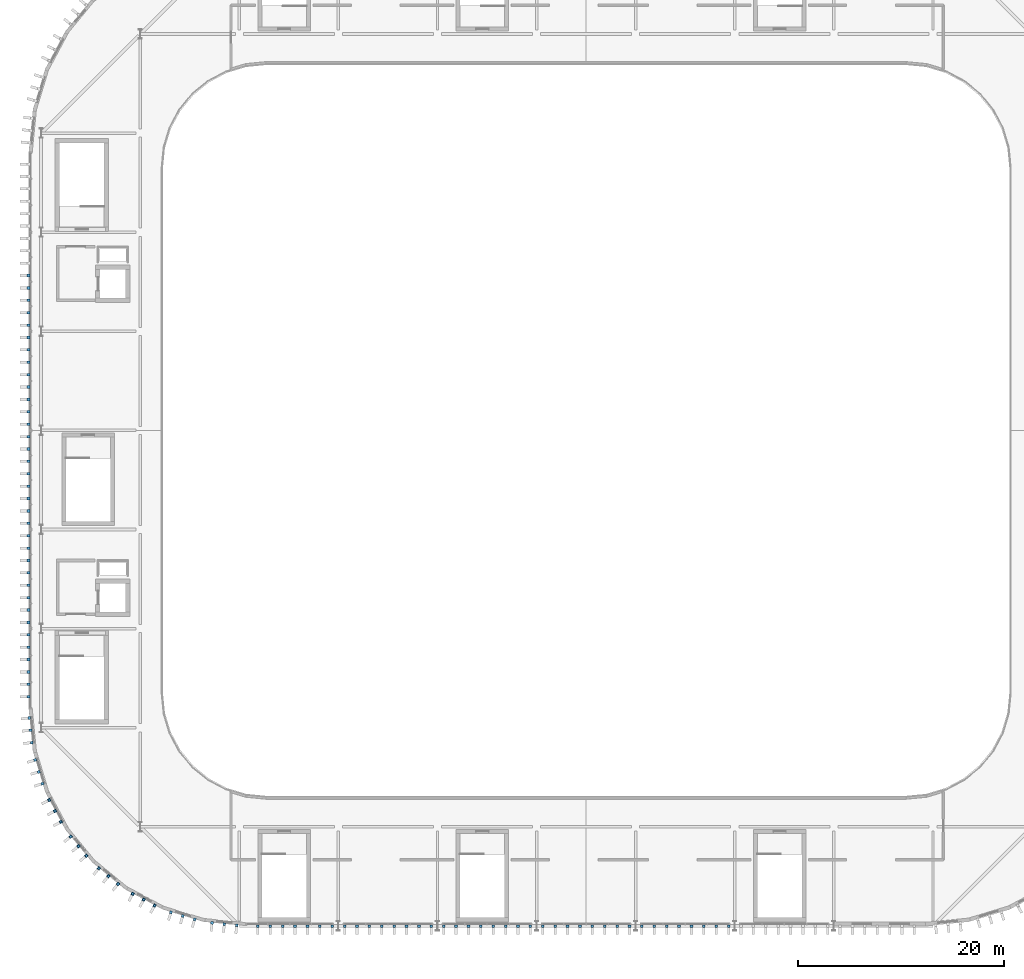
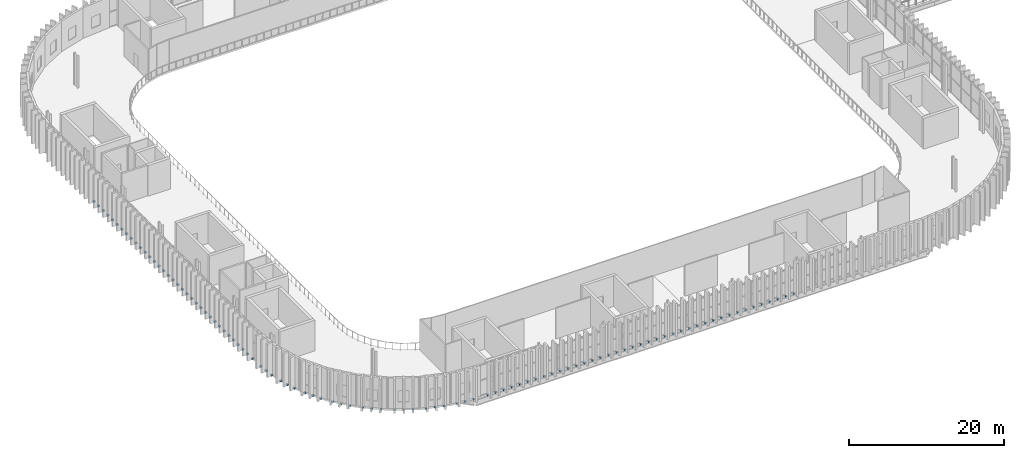
# One storey, part 38 of 45: 98 discrete accessories.
"""IFC4 building model written with IfcOpenShell, lengths in metres."""

from ifc_helpers import new_model, si_unit, direction, frame, origin, origin_2d, place, context, subcontext, project, spatial, rectangle, extrude, material, type_object, element, save


model = new_model("IFC4")

# Units and contexts
model_context = context("Model", 3, precision=1e-05, world=origin(), true_north=direction((0.0, 1.0)))
body_context = subcontext(model_context, "Body", "Model", "MODEL_VIEW")
ifc_project = project(units=[si_unit("LENGTHUNIT", "METRE"), si_unit("AREAUNIT", "SQUARE_METRE"), si_unit("VOLUMEUNIT", "CUBIC_METRE"), si_unit("PLANEANGLEUNIT", "RADIAN"), si_unit("MASSUNIT", "GRAM", prefix="KILO")], contexts=[model_context])

# Site, building, storey
site_placement = place(None, origin())
site = spatial("IfcSite", under=ifc_project, at=site_placement, CompositionType="ELEMENT")
building_placement = place(site_placement, origin())
building = spatial("IfcBuilding", under=site, at=building_placement, Name="Caelomonte Colonnade Arena", CompositionType="ELEMENT")
storey_placement = place(building_placement, frame((0.0, 0.0, 23.10009765625)))
storey = spatial("IfcBuildingStorey", under=building, at=storey_placement, Name="L05", CompositionType="ELEMENT", Elevation=23.10009765625)

# Discrete accessories
ifc_material = material(Name="Steel ASTM A572 Grade 50", Category="steel")
discrete_accessory_type = type_object("IfcDiscreteAccessoryType", Name="ENV-ACC-BRK", PredefinedType="BRACKET", material=ifc_material)
for number, where, z_axis, x_axis, name in (
    (1, (56.3701171875, 82.199951171875, -0.2099609375), (0.0, 0.0, 1.0), (0.0, -1.0, 0.0), "V1 L05 fin support bracket 180"),
    (2, (56.3701171875, 81.0, -0.2099609375), (0.0, 0.0, 1.0), (0.0, -1.0, 0.0), "V1 L05 fin support bracket 181"),
    (3, (56.3701171875, 79.800048828125, -0.2099609375), (0.0, 0.0, 1.0), (0.0, -1.0, 0.0), "V1 L05 fin support bracket 182"),
    (4, (56.3701171875, 78.60009765625, -0.2099609375), (0.0, 0.0, 1.0), (0.0, -1.0, 0.0), "V1 L05 fin support bracket 183"),
    (5, (56.3701171875, 77.39990234375, -0.2099609375), (0.0, 0.0, 1.0), (0.0, -1.0, 0.0), "V1 L05 fin support bracket 184"),
    (6, (56.3701171875, 76.199951171875, -0.2099609375), (0.0, 0.0, 1.0), (0.0, -1.0, 0.0), "V1 L05 fin support bracket 185"),
    (7, (56.3701171875, 75.0, -0.2099609375), (0.0, 0.0, 1.0), (0.0, -1.0, 0.0), "V1 L05 fin support bracket 186"),
    (8, (56.3701171875, 73.800048828125, -0.2099609375), (0.0, 0.0, 1.0), (0.0, -1.0, 0.0), "V1 L05 fin support bracket 187"),
    (9, (56.3701171875, 72.60009765625, -0.2099609375), (0.0, 0.0, 1.0), (0.0, -1.0, 0.0), "V1 L05 fin support bracket 188"),
    (10, (56.3701171875, 71.39990234375, -0.2099609375), (0.0, 0.0, 1.0), (0.0, -1.0, 0.0), "V1 L05 fin support bracket 189"),
    (11, (56.3701171875, 70.199951171875, -0.2099609375), (0.0, 0.0, 1.0), (0.0, -1.0, 0.0), "V1 L05 fin support bracket 190"),
    (12, (56.3701171875, 69.0, -0.2099609375), (0.0, 0.0, 1.0), (0.0, -1.0, 0.0), "V1 L05 fin support bracket 191"),
    (13, (56.3701171875, 67.800048828125, -0.2099609375), (0.0, 0.0, 1.0), (0.0, -1.0, 0.0), "V1 L05 fin support bracket 192"),
    (14, (56.3701171875, 66.60009765625, -0.2099609375), (0.0, 0.0, 1.0), (0.0, -1.0, 0.0), "V1 L05 fin support bracket 193"),
    (15, (56.3701171875, 65.39990234375, -0.2099609375), (0.0, 0.0, 1.0), (0.0, -1.0, 0.0), "V1 L05 fin support bracket 194"),
    (16, (56.3701171875, 64.199951171875, -0.2099609375), (0.0, 0.0, 1.0), (0.0, -1.0, 0.0), "V1 L05 fin support bracket 195"),
    (17, (56.3701171875, 63.0, -0.2099609375), (0.0, 0.0, 1.0), (0.0, -1.0, 0.0), "V1 L05 fin support bracket 196"),
    (18, (56.3701171875, 61.800048828125, -0.2099609375), (0.0, 0.0, 1.0), (0.0, -1.0, 0.0), "V1 L05 fin support bracket 197"),
    (19, (56.3701171875, 60.60009765625, -0.2099609375), (0.0, 0.0, 1.0), (0.0, -1.0, 0.0), "V1 L05 fin support bracket 198"),
    (20, (56.3701171875, 59.39990234375, -0.2099609375), (0.0, 0.0, 1.0), (0.0, -1.0, 0.0), "V1 L05 fin support bracket 199"),
    (21, (56.3701171875, 58.199951171875, -0.2099609375), (0.0, 0.0, 1.0), (0.0, -1.0, 0.0), "V1 L05 fin support bracket 200"),
    (22, (56.3701171875, 57.0, -0.2099609375), (0.0, 0.0, 1.0), (0.0, -1.0, 0.0), "V1 L05 fin support bracket 201"),
    (23, (56.3701171875, 55.800048828125, -0.2099609375), (0.0, 0.0, 1.0), (0.0, -1.0, 0.0), "V1 L05 fin support bracket 202"),
    (24, (56.3701171875, 54.60009765625, -0.2099609375), (0.0, 0.0, 1.0), (0.0, -1.0, 0.0), "V1 L05 fin support bracket 203"),
    (25, (56.3701171875, 53.39990234375, -0.2099609375), (0.0, 0.0, 1.0), (0.0, -1.0, 0.0), "V1 L05 fin support bracket 204"),
    (26, (56.3701171875, 52.199951171875, -0.2099609375), (0.0, 0.0, 1.0), (0.0, -1.0, 0.0), "V1 L05 fin support bracket 205"),
    (27, (56.3701171875, 51.0, -0.2099609375), (0.0, 0.0, 1.0), (0.0, -1.0, 0.0), "V1 L05 fin support bracket 206"),
    (28, (56.3701171875, 49.800048828125, -0.2099609375), (0.0, 0.0, 1.0), (0.0, -1.0, 0.0), "V1 L05 fin support bracket 207"),
    (29, (56.3701171875, 48.60009765625, -0.2099609375), (0.0, 0.0, 1.0), (0.0, -1.0, 0.0), "V1 L05 fin support bracket 208"),
    (30, (56.3701171875, 47.39990234375, -0.2099609375), (0.0, 0.0, 1.0), (0.0, -1.0, 0.0), "V1 L05 fin support bracket 209"),
    (31, (56.3701171875, 46.199951171875, -0.2099609375), (0.0, 0.0, 1.0), (0.0, -1.0, 0.0), "V1 L05 fin support bracket 210"),
    (32, (56.3701171875, 45.0, -0.2099609375), (0.0, 0.0, 1.0), (0.0, -1.0, 0.0), "V1 L05 fin support bracket 211"),
    (33, (56.3701171875, 43.800048828125, -0.2099609375), (0.0, 0.0, 1.0), (0.0, -1.0, 0.0), "V1 L05 fin support bracket 212"),
    (34, (56.3701171875, 42.60009765625, -0.2099609375), (0.0, 0.0, 1.0), (0.0, -1.0, 0.0), "V1 L05 fin support bracket 213"),
    (35, (56.3701171875, 41.39990234375, -0.2099609375), (0.0, 0.0, 1.0), (0.0, -1.0, 0.0), "V1 L05 fin support bracket 214"),
    (36, (56.454345703125, 39.3427734375, -0.2099609375), (0.0, 0.0, 1.0), (0.098015403404, -0.995184897743, 0.0), "V1 L05 fin support bracket 215"),
    (37, (56.572021484375, 38.148681640625, -0.2099609375), (0.0, 0.0, 1.0), (0.098015403404, -0.995184897743, 0.0), "V1 L05 fin support bracket 216"),
    (38, (56.689453125, 36.954345703125, -0.2099609375), (0.0, 0.0, 1.0), (0.098015403404, -0.995184897743, 0.0), "V1 L05 fin support bracket 217"),
    (39, (57.02392578125, 35.27294921875, -0.2099609375), (0.0, 0.0, 1.0), (0.290276326364, -0.956942868907, 0.0), "V1 L05 fin support bracket 218"),
    (40, (57.372314453125, 34.12451171875, -0.2099609375), (0.0, 0.0, 1.0), (0.290276326364, -0.956942868907, 0.0), "V1 L05 fin support bracket 219"),
    (41, (57.720703125, 32.976318359375, -0.2099609375), (0.0, 0.0, 1.0), (0.290276326364, -0.956942868907, 0.0), "V1 L05 fin support bracket 220"),
    (42, (58.376708984375, 31.392578125, -0.2099609375), (0.0, 0.0, 1.0), (0.471396736826, -0.881921264348, 0.0), "V1 L05 fin support bracket 221"),
    (43, (58.9423828125, 30.334228515625, -0.2099609375), (0.0, 0.0, 1.0), (0.471396736826, -0.881921264348, 0.0), "V1 L05 fin support bracket 222"),
    (44, (59.508056640625, 29.27587890625, -0.2099609375), (0.0, 0.0, 1.0), (0.471396736826, -0.881921264348, 0.0), "V1 L05 fin support bracket 223"),
    (45, (60.46044921875, 27.8505859375, -0.2099609375), (0.0, 0.0, 1.0), (0.634413521313, -0.77299384472, 0.0), "V1 L05 fin support bracket 224"),
    (46, (61.2216796875, 26.9228515625, -0.2099609375), (0.0, 0.0, 1.0), (0.634413521313, -0.77299384472, 0.0), "V1 L05 fin support bracket 225"),
    (47, (61.983154296875, 25.995361328125, -0.2099609375), (0.0, 0.0, 1.0), (0.634413521313, -0.77299384472, 0.0), "V1 L05 fin support bracket 226"),
    (48, (63.1953125, 24.783203125, -0.2099609375), (0.0, 0.0, 1.0), (0.77299384472, -0.634413521313, 0.0), "V1 L05 fin support bracket 227"),
    (49, (64.122802734375, 24.021728515625, -0.2099609375), (0.0, 0.0, 1.0), (0.77299384472, -0.634413521313, 0.0), "V1 L05 fin support bracket 228"),
    (50, (65.050537109375, 23.260498046875, -0.2099609375), (0.0, 0.0, 1.0), (0.77299384472, -0.634413521313, 0.0), "V1 L05 fin support bracket 229"),
    (51, (66.475830078125, 22.30810546875, -0.2099609375), (0.0, 0.0, 1.0), (0.881921264348, -0.471396736826, 0.0), "V1 L05 fin support bracket 230"),
    (52, (67.5341796875, 21.7421875, -0.2099609375), (0.0, 0.0, 1.0), (0.881921264348, -0.471396736826, 0.0), "V1 L05 fin support bracket 231"),
    (53, (68.592529296875, 21.1767578125, -0.2099609375), (0.0, 0.0, 1.0), (0.881921264348, -0.471396736826, 0.0), "V1 L05 fin support bracket 232"),
    (54, (70.17626953125, 20.5205078125, -0.2099609375), (0.0, 0.0, 1.0), (0.956942868907, -0.290276326364, 0.0), "V1 L05 fin support bracket 233"),
    (55, (71.32470703125, 20.17236328125, -0.2099609375), (0.0, 0.0, 1.0), (0.956942868907, -0.290276326364, 0.0), "V1 L05 fin support bracket 234"),
    (56, (72.472900390625, 19.823974609375, -0.2099609375), (0.0, 0.0, 1.0), (0.956942868907, -0.290276326364, 0.0), "V1 L05 fin support bracket 235"),
    (57, (74.154296875, 19.489501953125, -0.2099609375), (0.0, 0.0, 1.0), (0.995184897743, -0.098015403404, 0.0), "V1 L05 fin support bracket 236"),
    (58, (75.3486328125, 19.371826171875, -0.2099609375), (0.0, 0.0, 1.0), (0.995184897743, -0.098015403404, 0.0), "V1 L05 fin support bracket 237"),
    (59, (76.542724609375, 19.25439453125, -0.2099609375), (0.0, 0.0, 1.0), (0.995184897743, -0.098015403404, 0.0), "V1 L05 fin support bracket 238"),
    (60, (78.60009765625, 19.169921875, -0.2099609375), (0.0, 0.0, 1.0), (1.0, 0.0, 0.0), "V1 L05 fin support bracket 239"),
    (61, (79.800048828125, 19.169921875, -0.2099609375), (0.0, 0.0, 1.0), (1.0, 0.0, 0.0), "V1 L05 fin support bracket 240"),
    (62, (81.0, 19.169921875, -0.2099609375), (0.0, 0.0, 1.0), (1.0, 0.0, 0.0), "V1 L05 fin support bracket 241"),
    (63, (82.199951171875, 19.169921875, -0.2099609375), (0.0, 0.0, 1.0), (1.0, 0.0, 0.0), "V1 L05 fin support bracket 242"),
    (64, (83.39990234375, 19.169921875, -0.2099609375), (0.0, 0.0, 1.0), (1.0, 0.0, 0.0), "V1 L05 fin support bracket 243"),
    (65, (84.60009765625, 19.169921875, -0.2099609375), (0.0, 0.0, 1.0), (1.0, 0.0, 0.0), "V1 L05 fin support bracket 244"),
    (66, (85.800048828125, 19.169921875, -0.2099609375), (0.0, 0.0, 1.0), (1.0, 0.0, 0.0), "V1 L05 fin support bracket 245"),
    (67, (87.0, 19.169921875, -0.2099609375), (0.0, 0.0, 1.0), (1.0, 0.0, 0.0), "V1 L05 fin support bracket 246"),
    (68, (88.199951171875, 19.169921875, -0.2099609375), (0.0, 0.0, 1.0), (1.0, 0.0, 0.0), "V1 L05 fin support bracket 247"),
    (69, (89.39990234375, 19.169921875, -0.2099609375), (0.0, 0.0, 1.0), (1.0, 0.0, 0.0), "V1 L05 fin support bracket 248"),
    (70, (90.60009765625, 19.169921875, -0.2099609375), (0.0, 0.0, 1.0), (1.0, 0.0, 0.0), "V1 L05 fin support bracket 249"),
    (71, (91.800048828125, 19.169921875, -0.2099609375), (0.0, 0.0, 1.0), (1.0, 0.0, 0.0), "V1 L05 fin support bracket 250"),
    (72, (93.0, 19.169921875, -0.2099609375), (0.0, 0.0, 1.0), (1.0, 0.0, 0.0), "V1 L05 fin support bracket 251"),
    (73, (94.199951171875, 19.169921875, -0.2099609375), (0.0, 0.0, 1.0), (1.0, 0.0, 0.0), "V1 L05 fin support bracket 252"),
    (74, (95.39990234375, 19.169921875, -0.2099609375), (0.0, 0.0, 1.0), (1.0, 0.0, 0.0), "V1 L05 fin support bracket 253"),
    (75, (96.60009765625, 19.169921875, -0.2099609375), (0.0, 0.0, 1.0), (1.0, 0.0, 0.0), "V1 L05 fin support bracket 254"),
    (76, (97.800048828125, 19.169921875, -0.2099609375), (0.0, 0.0, 1.0), (1.0, 0.0, 0.0), "V1 L05 fin support bracket 255"),
    (77, (99.0, 19.169921875, -0.2099609375), (0.0, 0.0, 1.0), (1.0, 0.0, 0.0), "V1 L05 fin support bracket 256"),
    (78, (100.199951171875, 19.169921875, -0.2099609375), (0.0, 0.0, 1.0), (1.0, 0.0, 0.0), "V1 L05 fin support bracket 257"),
    (79, (101.39990234375, 19.169921875, -0.2099609375), (0.0, 0.0, 1.0), (1.0, 0.0, 0.0), "V1 L05 fin support bracket 258"),
    (80, (102.60009765625, 19.169921875, -0.2099609375), (0.0, 0.0, 1.0), (1.0, 0.0, 0.0), "V1 L05 fin support bracket 259"),
    (81, (103.800048828125, 19.169921875, -0.2099609375), (0.0, 0.0, 1.0), (1.0, 0.0, 0.0), "V1 L05 fin support bracket 260"),
    (82, (105.0, 19.169921875, -0.2099609375), (0.0, 0.0, 1.0), (1.0, 0.0, 0.0), "V1 L05 fin support bracket 261"),
    (83, (106.199951171875, 19.169921875, -0.2099609375), (0.0, 0.0, 1.0), (1.0, 0.0, 0.0), "V1 L05 fin support bracket 262"),
    (84, (107.39990234375, 19.169921875, -0.2099609375), (0.0, 0.0, 1.0), (1.0, 0.0, 0.0), "V1 L05 fin support bracket 263"),
    (85, (108.60009765625, 19.169921875, -0.2099609375), (0.0, 0.0, 1.0), (1.0, 0.0, 0.0), "V1 L05 fin support bracket 264"),
    (86, (109.800048828125, 19.169921875, -0.2099609375), (0.0, 0.0, 1.0), (1.0, 0.0, 0.0), "V1 L05 fin support bracket 265"),
    (87, (111.0, 19.169921875, -0.2099609375), (0.0, 0.0, 1.0), (1.0, 0.0, 0.0), "V1 L05 fin support bracket 266"),
    (88, (112.199951171875, 19.169921875, -0.2099609375), (0.0, 0.0, 1.0), (1.0, 0.0, 0.0), "V1 L05 fin support bracket 267"),
    (89, (113.39990234375, 19.169921875, -0.2099609375), (0.0, 0.0, 1.0), (1.0, 0.0, 0.0), "V1 L05 fin support bracket 268"),
    (90, (114.60009765625, 19.169921875, -0.2099609375), (0.0, 0.0, 1.0), (1.0, 0.0, 0.0), "V1 L05 fin support bracket 269"),
    (91, (115.800048828125, 19.169921875, -0.2099609375), (0.0, 0.0, 1.0), (1.0, 0.0, 0.0), "V1 L05 fin support bracket 270"),
    (92, (117.0, 19.169921875, -0.2099609375), (0.0, 0.0, 1.0), (1.0, 0.0, 0.0), "V1 L05 fin support bracket 271"),
    (93, (118.199951171875, 19.169921875, -0.2099609375), (0.0, 0.0, 1.0), (1.0, 0.0, 0.0), "V1 L05 fin support bracket 272"),
    (94, (119.39990234375, 19.169921875, -0.2099609375), (0.0, 0.0, 1.0), (1.0, 0.0, 0.0), "V1 L05 fin support bracket 273"),
    (95, (120.60009765625, 19.169921875, -0.2099609375), (0.0, 0.0, 1.0), (1.0, 0.0, 0.0), "V1 L05 fin support bracket 274"),
    (96, (121.800048828125, 19.169921875, -0.2099609375), (0.0, 0.0, 1.0), (1.0, 0.0, 0.0), "V1 L05 fin support bracket 275"),
    (97, (123.0, 19.169921875, -0.2099609375), (0.0, 0.0, 1.0), (1.0, 0.0, 0.0), "V1 L05 fin support bracket 276"),
    (98, (124.199951171875, 19.169921875, -0.2099609375), (0.0, 0.0, 1.0), (1.0, 0.0, 0.0), "V1 L05 fin support bracket 277"),
):
    element("IfcDiscreteAccessory", number, at=place(storey_placement, frame(where, z_axis=z_axis, x_axis=x_axis)), inside=storey, type_object=discrete_accessory_type, Name=name, PredefinedType="BRACKET", context=body_context, shape_type="SweptSolid", body=[
        extrude(rectangle(XDim=0.260009765625, YDim=0.260009765625, at=origin_2d()), origin(), (0.0, 0.0, 1.0), 0.179931640625),
    ])

save(model, "model.ifc")
